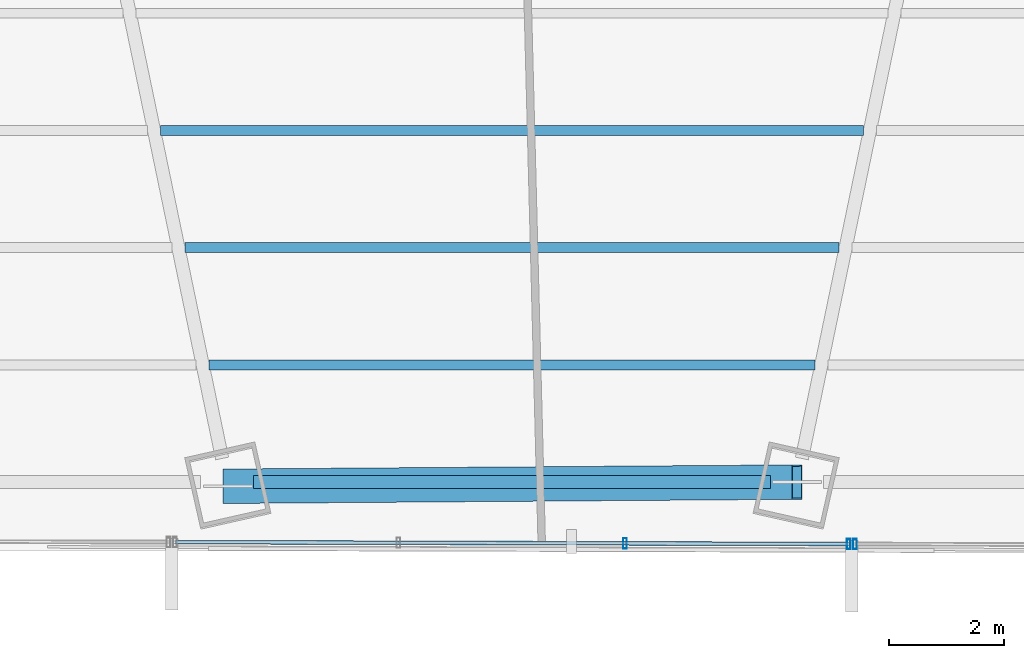
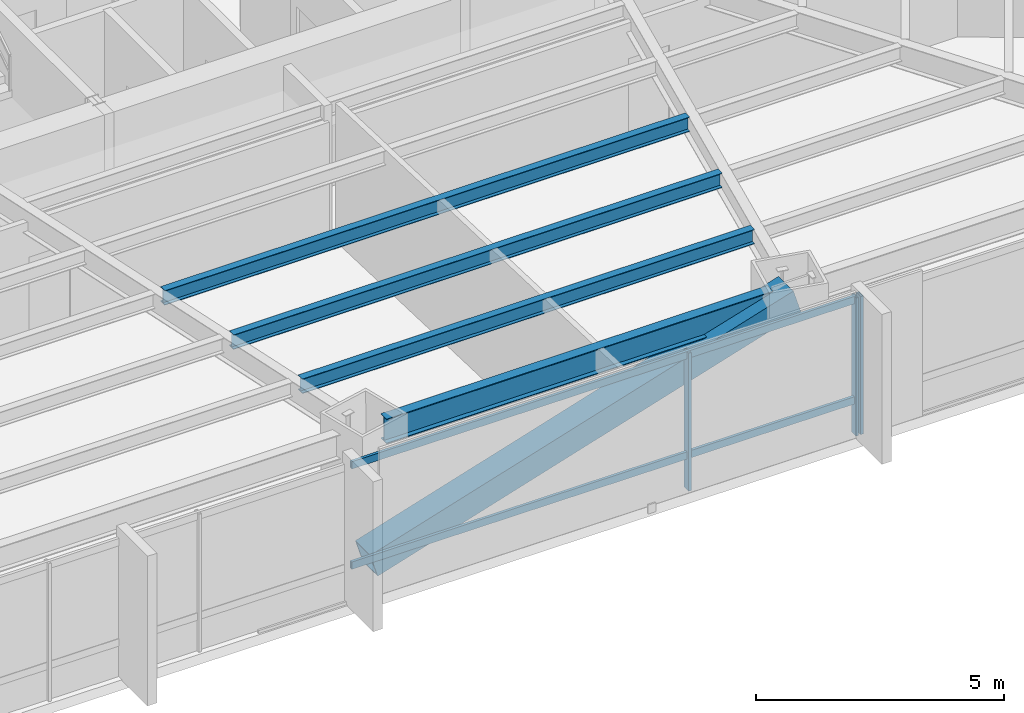
# One storey, part 6 of 33: 6 members, 4 beams, 2 elements without a shape of their own.
"""IFC4 building model written with IfcOpenShell, lengths in metres."""

from ifc_helpers import new_model, si_unit, direction, frame, origin, origin_2d, place, context, subcontext, project, spatial, hollow_rectangle, i_section, extrude, source, transform, mapped, material, material_profile, profile_set, type_object, type_shapes, element, aggregate, save


model = new_model("IFC4")

# Units and contexts
model_context = context("Model", 3, precision=1e-05, world=origin(), true_north=direction((0.0, 1.0)))
body_context = subcontext(model_context, "Body", "Model", "MODEL_VIEW")
ifc_project = project(units=[si_unit("LENGTHUNIT", "METRE"), si_unit("AREAUNIT", "SQUARE_METRE"), si_unit("VOLUMEUNIT", "CUBIC_METRE"), si_unit("PLANEANGLEUNIT", "RADIAN"), si_unit("MASSUNIT", "GRAM", prefix="KILO")], contexts=[model_context])

# Site, building, storey
site_placement = place(None, origin())
site = spatial("IfcSite", under=ifc_project, at=site_placement, CompositionType="ELEMENT")
building_placement = place(site_placement, origin())
building = spatial("IfcBuilding", under=site, at=building_placement, Name="Caelisora Broadcast Tower", CompositionType="ELEMENT")
storey_placement = place(building_placement, frame((0.0, 0.0, 42.199951171875)))
storey = spatial("IfcBuildingStorey", under=building, at=storey_placement, Name="L10", CompositionType="ELEMENT", Elevation=42.199951171875)

# Beams
ifc_material_1 = material(Name="Steel Grade 350 (AS/NZS 3679.1)", Category="steel")
ifc_material_profile_1 = material_profile(ifc_material_1, i_section(OverallWidth=0.22900390625, OverallDepth=0.611572265625, WebThickness=0.011962890625, FlangeThickness=0.01953125, at=origin_2d()), Name="Steel Grade 350 (AS/NZS 3679.1)")
ifc_profile_set_1 = profile_set([ifc_material_profile_1], Name="Steel Grade 350 (AS/NZS 3679.1)")
beam_type_1 = type_object("IfcBeamType", Name="PG03", PredefinedType="BEAM", material=ifc_profile_set_1)
shared_shape_1 = source(origin(), body_context, "Body", "SweptSolid", [
    extrude(i_section(OverallWidth=0.22900390625, OverallDepth=0.611572265625, WebThickness=0.011962890625, FlangeThickness=0.01953125, at=origin_2d()), origin(), (0.0, 0.0, 1.0), 8.9990234375),
])
type_shapes(beam_type_1, [shared_shape_1])
beam_1_placement = place(storey_placement, frame((33.50048828125, 5.16162109375, 3.09423828125), z_axis=(1.0, 0.0, 0.0), x_axis=(0.0, 1.0, 0.0)))
element("IfcBeam", 1, at=beam_1_placement, inside=storey, type_object=beam_type_1, Name="L10 beam PG03", PredefinedType="BEAM", context=body_context, shape_type="MappedRepresentation", body=[
    mapped(shared_shape_1, transform((0.0, 0.0, 0.0), scale=1.0)),
])
ifc_material_profile_2 = material_profile(ifc_material_1, i_section(OverallWidth=0.172119140625, OverallDepth=0.358642578125, WebThickness=0.008056640625, FlangeThickness=0.012939453125, at=origin_2d()), Name="Steel Grade 350 (AS/NZS 3679.1)")
ifc_profile_set_2 = profile_set([ifc_material_profile_2], Name="Steel Grade 350 (AS/NZS 3679.1)")
beam_type_2 = type_object("IfcBeamType", Name="SB02", PredefinedType="JOIST", material=ifc_profile_set_2)
shared_shape_2 = source(origin(), body_context, "Body", "SweptSolid", [
    extrude(i_section(OverallWidth=0.172119140625, OverallDepth=0.358642578125, WebThickness=0.008056640625, FlangeThickness=0.012939453125, at=origin_2d()), origin(), (0.0, 0.0, 1.0), 12.232421875),
])
beam_2_placement = place(storey_placement, frame((31.8837890625, 11.28076171875, 3.220703125), z_axis=(1.0, 0.0, 0.0), x_axis=(0.0, 1.0, 0.0)))
element("IfcBeam", 2, at=beam_2_placement, inside=storey, type_object=beam_type_2, Name="L10 beam SB02", PredefinedType="JOIST", context=body_context, shape_type="MappedRepresentation", body=[
    mapped(shared_shape_2, transform((0.0, 0.0, 0.0), scale=1.0)),
])
shared_shape_3 = source(origin(), body_context, "Body", "SweptSolid", [
    extrude(i_section(OverallWidth=0.172119140625, OverallDepth=0.358642578125, WebThickness=0.008056640625, FlangeThickness=0.012939453125, at=origin_2d()), origin(), (0.0, 0.0, 1.0), 11.3857421875),
])
beam_3_placement = place(storey_placement, frame((32.30712890625, 9.240966796875, 3.220703125), z_axis=(1.0, 0.0, 0.0), x_axis=(0.0, 1.0, 0.0)))
element("IfcBeam", 3, at=beam_3_placement, inside=storey, type_object=beam_type_2, Name="L10 beam SB02", PredefinedType="JOIST", context=body_context, shape_type="MappedRepresentation", body=[
    mapped(shared_shape_3, transform((0.0, 0.0, 0.0), scale=1.0)),
])
shared_shape_4 = source(origin(), body_context, "Body", "SweptSolid", [
    extrude(i_section(OverallWidth=0.172119140625, OverallDepth=0.358642578125, WebThickness=0.008056640625, FlangeThickness=0.012939453125, at=origin_2d()), origin(), (0.0, 0.0, 1.0), 10.53857421875),
])
type_shapes(beam_type_2, [shared_shape_2, shared_shape_3, shared_shape_4])
beam_4_placement = place(storey_placement, frame((32.730712890625, 7.201171875, 3.220703125), z_axis=(1.0, 0.0, 0.0), x_axis=(0.0, 1.0, 0.0)))
element("IfcBeam", 4, at=beam_4_placement, inside=storey, type_object=beam_type_2, Name="L10 beam SB02", PredefinedType="JOIST", context=body_context, shape_type="MappedRepresentation", body=[
    mapped(shared_shape_4, transform((0.0, 0.0, 0.0), scale=1.0)),
])

# Member
ifc_material_2 = material(Name="Steel Grade 450 L15 (AS/NZS 3678)", Category="steel")
ifc_material_profile_3 = material_profile(ifc_material_2, hollow_rectangle(XDim=0.60009765625, YDim=0.60009765625, WallThickness=0.02490234375, at=origin_2d()), Name="Steel Grade 450 L15 (AS/NZS 3678)")
ifc_profile_set_3 = profile_set([ifc_material_profile_3], Name="Steel Grade 450 L15 (AS/NZS 3678)")
member_type_1 = type_object("IfcMemberType", Name="BR01", PredefinedType="BRACE", material=ifc_profile_set_3)
shared_shape_5 = source(origin(), body_context, "Body", "SweptSolid", [
    extrude(hollow_rectangle(XDim=0.60009765625, YDim=0.60009765625, WallThickness=0.02490234375, at=origin_2d()), origin(), (0.0, 0.0, 1.0), 10.347412109375),
])
type_shapes(member_type_1, [shared_shape_5])
member_1_placement = place(storey_placement, frame((33.056884765625, 5.089111328125, 0.10009765625), z_axis=(0.957021938292, 0.007007606215, 0.289930859144), x_axis=(-0.007322108388, 0.999973193005, 0.0)))
element("IfcMember", 5, at=member_1_placement, inside=storey, type_object=member_type_1, Name="L10 perimeter brace BR01", PredefinedType="BRACE", context=body_context, shape_type="MappedRepresentation", body=[
    mapped(shared_shape_5, transform((0.0, 0.0, 0.0), scale=1.0)),
])

# Curtain wall, member
ifc_material_3 = material(Name="Unitised Aluminium and Low-E Glass Curtain Wall", Category="glass")
curtain_wall_type_1 = type_object("IfcCurtainWallType", Name="CW-Z1", PredefinedType="NOTDEFINED", material=ifc_material_3)
curtain_wall_1_placement = place(storey_placement, origin())
curtain_wall_1 = element("IfcCurtainWall", 6, at=curtain_wall_1_placement, inside=storey, type_object=curtain_wall_type_1, Name="L10 curtain wall CW-Z1", PredefinedType="NOTDEFINED")
ifc_material_4 = material(Name="Aluminium 6063-T6 Anodised Terracotta Bronze", Category="aluminium")
ifc_material_profile_4 = material_profile(ifc_material_4, hollow_rectangle(XDim=0.06494140625, YDim=0.179931640625, WallThickness=0.00341796875, at=origin_2d()), Name="Aluminium 6063-T6 Anodised Terracotta Bronze")
ifc_profile_set_4 = profile_set([ifc_material_profile_4], Name="Aluminium 6063-T6 Anodised Terracotta Bronze")
member_type_2 = type_object("IfcMemberType", Name="CWM-02", PredefinedType="MULLION", material=ifc_profile_set_4)
shared_shape_6 = source(origin(), body_context, "Body", "SweptSolid", [
    extrude(hollow_rectangle(XDim=0.06494140625, YDim=0.179931640625, WallThickness=0.00341796875, at=origin_2d()), origin(), (0.0, 0.0, 1.0), 3.400146484375),
])
type_shapes(member_type_2, [shared_shape_6])
member_2_placement = place(storey_placement, frame((43.97021484375, 4.083740234375, 0.0), z_axis=(0.0, 0.0, 1.0), x_axis=(1.0, 0.0, 0.0)))
member_2 = element("IfcMember", 7, at=member_2_placement, type_object=member_type_2, Name="L10-CW-B05 mullion #3", PredefinedType="MULLION", context=body_context, shape_type="MappedRepresentation", body=[
    mapped(shared_shape_6, transform((0.0, 0.0, 0.0), scale=1.0)),
])
aggregate(curtain_wall_1, [member_2])

# Curtain wall, members
ifc_material_5 = material(Name="Unitised Aluminium Insulated Shadow-Box Spandrel Curtain Wall", Category="aluminium")
curtain_wall_type_2 = type_object("IfcCurtainWallType", Name="CW-SP1", PredefinedType="NOTDEFINED", material=ifc_material_5)
curtain_wall_2_placement = place(storey_placement, origin())
curtain_wall_2 = element("IfcCurtainWall", 8, at=curtain_wall_2_placement, inside=storey, type_object=curtain_wall_type_2, Name="L10 curtain wall CW-SP1", PredefinedType="NOTDEFINED")
member_3_placement = place(storey_placement, frame((43.860107421875, 4.083984375, 0.0), z_axis=(0.0, 0.0, 1.0), x_axis=(1.0, 0.0, 0.0)))
member_3 = element("IfcMember", 9, at=member_3_placement, type_object=member_type_2, Name="L10-CW-B06 mullion #0", PredefinedType="MULLION", context=body_context, shape_type="MappedRepresentation", body=[
    mapped(shared_shape_6, transform((0.0, 0.0, 0.0), scale=1.0)),
])
member_4_placement = place(storey_placement, frame((39.96826171875, 4.094970703125, 0.0), z_axis=(0.0, 0.0, 1.0), x_axis=(1.0, 0.0, 0.0)))
member_4 = element("IfcMember", 10, at=member_4_placement, type_object=member_type_2, Name="L10-CW-B06 mullion #1", PredefinedType="MULLION", context=body_context, shape_type="MappedRepresentation", body=[
    mapped(shared_shape_6, transform((0.0, 0.0, 0.0), scale=1.0)),
])
ifc_material_profile_5 = material_profile(ifc_material_4, hollow_rectangle(XDim=0.06494140625, YDim=0.179931640625, WallThickness=0.00341796875, at=origin_2d()), Name="Aluminium 6063-T6 Anodised Terracotta Bronze")
ifc_profile_set_5 = profile_set([ifc_material_profile_5], Name="Aluminium 6063-T6 Anodised Terracotta Bronze")
member_type_3 = type_object("IfcMemberType", Name="CWT-01", PredefinedType="USERDEFINED", material=ifc_profile_set_5)
shared_shape_7 = source(origin(), body_context, "Body", "SweptSolid", [
    extrude(hollow_rectangle(XDim=0.06494140625, YDim=0.179931640625, WallThickness=0.00341796875, at=origin_2d()), origin(), (0.0, 0.0, 1.0), 11.725830078125),
])
type_shapes(member_type_3, [shared_shape_7])
member_5_placement = place(storey_placement, frame((43.860107421875, 4.083984375, 0.85009765625), z_axis=(-0.999996108026, 0.002789970195, 0.0), x_axis=(-0.002789970195, -0.999996108026, 0.0)))
member_5 = element("IfcMember", 11, at=member_5_placement, type_object=member_type_3, Name="L10-CW-B06 transom #1", ObjectType="TRANSOM", PredefinedType="USERDEFINED", context=body_context, shape_type="MappedRepresentation", body=[
    mapped(shared_shape_7, transform((0.0, 0.0, 0.0), scale=1.0)),
])
member_6_placement = place(storey_placement, frame((43.860107421875, 4.083984375, 3.320068359375), z_axis=(-0.999996108026, 0.002789970195, 0.0), x_axis=(-0.002789970195, -0.999996108026, 0.0)))
member_6 = element("IfcMember", 12, at=member_6_placement, type_object=member_type_3, Name="L10-CW-B06 transom #2", ObjectType="TRANSOM", PredefinedType="USERDEFINED", context=body_context, shape_type="MappedRepresentation", body=[
    mapped(shared_shape_7, transform((0.0, 0.0, 0.0), scale=1.0)),
])
aggregate(curtain_wall_2, [member_3, member_4, member_5, member_6])

save(model, "model.ifc")
